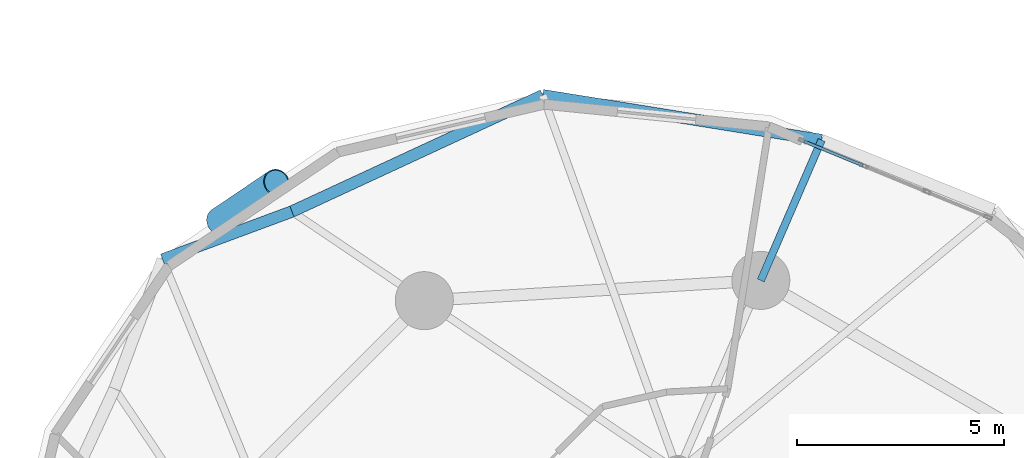
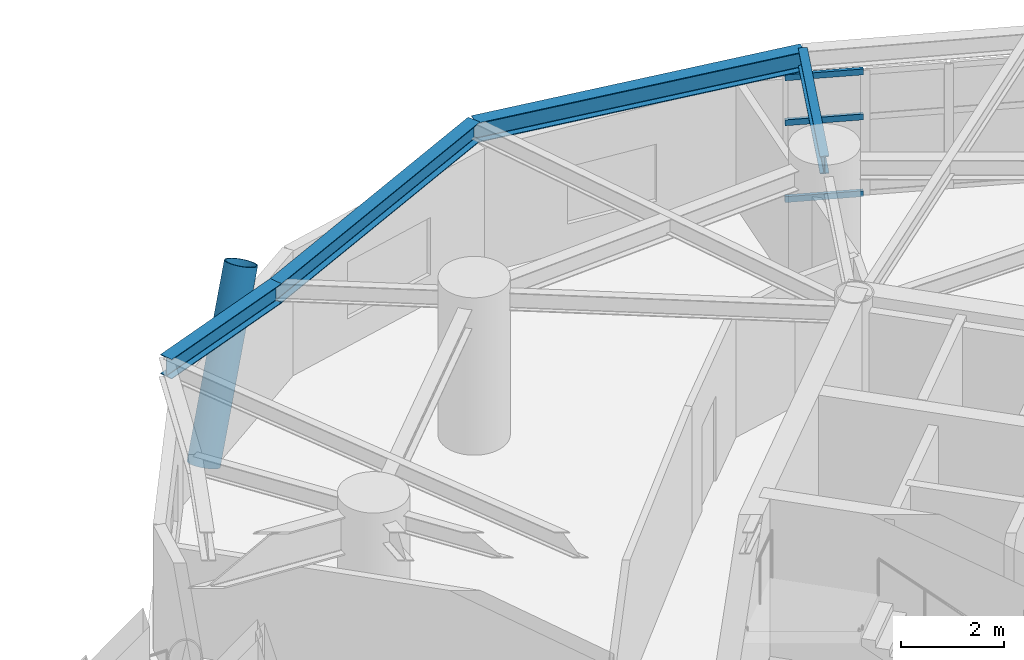
# One storey, part 9 of 19: 4 beams, 4 members, 1 element without a shape of its own.
"""IFC4 building model written with IfcOpenShell, lengths in metres."""

from ifc_helpers import new_model, si_unit, direction, frame, origin, origin_2d, place, context, subcontext, project, spatial, hollow_rectangle, hollow_circle, i_section, extrude, material, layer, layer_set, material_profile, profile_set, type_object, element, aggregate, save


model = new_model("IFC4")

# Units and contexts
model_context = context("Model", 3, precision=1e-05, world=origin(), true_north=direction((0.0, 1.0)))
body_context = subcontext(model_context, "Body", "Model", "MODEL_VIEW")
ifc_project = project(units=[si_unit("LENGTHUNIT", "METRE"), si_unit("AREAUNIT", "SQUARE_METRE"), si_unit("VOLUMEUNIT", "CUBIC_METRE"), si_unit("PLANEANGLEUNIT", "RADIAN"), si_unit("MASSUNIT", "GRAM", prefix="KILO")], contexts=[model_context])

# Site, building, storey
site_placement = place(None, origin())
site = spatial("IfcSite", under=ifc_project, at=site_placement, CompositionType="ELEMENT")
building_placement = place(site_placement, origin())
building = spatial("IfcBuilding", under=site, at=building_placement, Name="Cununo Teusaquillo Station Towers", CompositionType="ELEMENT")
storey_placement = place(building_placement, frame((0.0, 0.0, 132.8798828125)))
storey = spatial("IfcBuildingStorey", under=building, at=storey_placement, Name="L42", CompositionType="ELEMENT", Elevation=132.8798828125)

# Beams
ifc_material_1 = material(Name="Steel ASTM A572 Grade 50", Category="steel")
ifc_material_profile_1 = material_profile(ifc_material_1, i_section(OverallWidth=0.180908203125, OverallDepth=0.4169921875, WebThickness=0.010986328125, FlangeThickness=0.018310546875, FilletRadius=0.012939453125, at=origin_2d()), Name="W16X57")
ifc_profile_set_1 = profile_set([ifc_material_profile_1], Name="Steel ASTM A572 Grade 50")
beam_type_1 = type_object("IfcBeamType", Name="BM-RAD-G2", PredefinedType="BEAM", material=ifc_profile_set_1)
beam_1_placement = place(storey_placement, frame((58.291015625, 37.63525390625, 3.231689453125), z_axis=(0.397421761279, 0.917636062751, 0.0), x_axis=(-0.917636062751, 0.397421761279, 0.0)))
element("IfcBeam", 1, at=beam_1_placement, inside=storey, type_object=beam_type_1, Name="L42 Tower B Perimeter Overhang Girder 02B", PredefinedType="BEAM", context=body_context, shape_type="SweptSolid", body=[
    extrude(i_section(OverallWidth=0.180908203125, OverallDepth=0.4169921875, WebThickness=0.010986328125, FlangeThickness=0.018310546875, FilletRadius=0.012939453125, at=origin_2d()), origin(), (0.0, 0.0, 1.0), 3.690185546875),
])
ifc_material_2 = material(Name="Steel ASTM A572 Grade 50", Category="steel")
ifc_material_profile_2 = material_profile(ifc_material_2, i_section(OverallWidth=0.280029296875, OverallDepth=0.462890625, WebThickness=0.0107421875, FlangeThickness=0.017333984375, FilletRadius=0.013916015625, at=origin_2d()), Name="W18X76")
ifc_profile_set_2 = profile_set([ifc_material_profile_2], Name="Steel ASTM A572 Grade 50")
beam_type_2 = type_object("IfcBeamType", Name="BM-RING-Z2", PredefinedType="SPANDREL", material=ifc_profile_set_2)
beam_2_placement = place(storey_placement, frame((59.757568359375, 41.021484375, 3.20849609375), z_axis=(-0.987331474246, 0.158671232312, 0.0), x_axis=(-0.158671232312, -0.987331474246, 0.0)))
element("IfcBeam", 2, at=beam_2_placement, inside=storey, type_object=beam_type_2, Name="L42 Tower B Spandrel Ring Beam 03", PredefinedType="SPANDREL", context=body_context, shape_type="SweptSolid", body=[
    extrude(i_section(OverallWidth=0.280029296875, OverallDepth=0.462890625, WebThickness=0.0107421875, FlangeThickness=0.017333984375, FilletRadius=0.013916015625, at=origin_2d()), origin(), (0.0, 0.0, 1.0), 6.8115234375),
])
beam_3_placement = place(storey_placement, frame((53.0322265625, 42.102294921875, 3.20849609375), z_axis=(-0.907275870354, -0.420535961689, 0.0), x_axis=(0.420535961689, -0.907275870354, 0.0)))
element("IfcBeam", 3, at=beam_3_placement, inside=storey, type_object=beam_type_2, Name="L42 Tower B Spandrel Ring Beam 04", PredefinedType="SPANDREL", context=body_context, shape_type="SweptSolid", body=[
    extrude(i_section(OverallWidth=0.280029296875, OverallDepth=0.462890625, WebThickness=0.0107421875, FlangeThickness=0.017333984375, FilletRadius=0.013916015625, at=origin_2d()), origin(), (0.0, 0.0, 1.0), 6.671142578125),
])
beam_4_placement = place(storey_placement, frame((46.979736328125, 39.296875, 3.20849609375), z_axis=(-0.937628334414, -0.347639333943, 0.0), x_axis=(0.347639333943, -0.937628334414, 0.0)))
element("IfcBeam", 4, at=beam_4_placement, inside=storey, type_object=beam_type_2, Name="L42 Tower B Spandrel Ring Beam 05", PredefinedType="SPANDREL", context=body_context, shape_type="SweptSolid", body=[
    extrude(i_section(OverallWidth=0.280029296875, OverallDepth=0.462890625, WebThickness=0.0107421875, FlangeThickness=0.017333984375, FilletRadius=0.013916015625, at=origin_2d()), origin(), (0.0, 0.0, 1.0), 3.327392578125),
])

# Curtain wall, members
ifc_material_3 = material(Name="Ceramic-fritted dark low-E double glazing", Category="glass")
ifc_layer = layer(ifc_material_3, 0.179931640625)
ifc_layer_set = layer_set([ifc_layer], Name="Ceramic-fritted dark low-E double glazing")
curtain_wall_type = type_object("IfcCurtainWallType", Name="CW-SYS-04", PredefinedType="USERDEFINED", material=ifc_layer_set)
curtain_wall_placement = place(storey_placement, origin())
curtain_wall = element("IfcCurtainWall", 5, at=curtain_wall_placement, inside=storey, type_object=curtain_wall_type, Name="L42 Tower B Facade Curtain Wall C01", ObjectType="FRITTED GLAZING", PredefinedType="USERDEFINED")
ifc_material_4 = material(Name="Anodised dark bronze aluminium EN AW-6063-T6", Category="aluminium")
ifc_material_profile_3 = material_profile(ifc_material_4, hollow_rectangle(XDim=0.070068359375, YDim=0.139892578125, WallThickness=0.00390625, at=origin_2d()), Name="CW-TRAN-70x140")
ifc_profile_set_3 = profile_set([ifc_material_profile_3], Name="Anodised dark bronze aluminium EN AW-6063-T6")
member_type_1 = type_object("IfcMemberType", Name="CWT-140", PredefinedType="USERDEFINED", material=ifc_profile_set_3)
member_1_placement = place(storey_placement, frame((59.337890625, 40.98876953125, 0.03515625), z_axis=(0.924532726965, -0.381102659097, 0.0), x_axis=(0.381102659097, 0.924532726965, 0.0)))
member_1 = element("IfcMember", 6, at=member_1_placement, type_object=member_type_1, Name="CW-04 transom 1.1", ObjectType="TRANSOM", PredefinedType="USERDEFINED", context=body_context, shape_type="SweptSolid", body=[
    extrude(hollow_rectangle(XDim=0.070068359375, YDim=0.139892578125, WallThickness=0.00390625, at=origin_2d()), origin(), (0.0, 0.0, 1.0), 1.531005859375),
])
member_2_placement = place(storey_placement, frame((59.337890625, 40.98876953125, 1.85009765625), z_axis=(0.924532726965, -0.381102659097, 0.0), x_axis=(0.381102659097, 0.924532726965, 0.0)))
member_2 = element("IfcMember", 7, at=member_2_placement, type_object=member_type_1, Name="CW-04 transom 1.2", ObjectType="TRANSOM", PredefinedType="USERDEFINED", context=body_context, shape_type="SweptSolid", body=[
    extrude(hollow_rectangle(XDim=0.070068359375, YDim=0.139892578125, WallThickness=0.00390625, at=origin_2d()), origin(), (0.0, 0.0, 1.0), 1.531005859375),
])
member_3_placement = place(storey_placement, frame((59.337890625, 40.98876953125, 2.9140625), z_axis=(0.924532726965, -0.381102659097, 0.0), x_axis=(0.381102659097, 0.924532726965, 0.0)))
member_3 = element("IfcMember", 8, at=member_3_placement, type_object=member_type_1, Name="CW-04 transom 1.3", ObjectType="TRANSOM", PredefinedType="USERDEFINED", context=body_context, shape_type="SweptSolid", body=[
    extrude(hollow_rectangle(XDim=0.070068359375, YDim=0.139892578125, WallThickness=0.00390625, at=origin_2d()), origin(), (0.0, 0.0, 1.0), 1.531005859375),
])
aggregate(curtain_wall, [member_1, member_2, member_3])

# Member
ifc_material_5 = material(Name="Steel EN 10025-2 S355J2", Category="steel")
ifc_material_profile_4 = material_profile(ifc_material_5, hollow_circle(Radius=0.330078125, WallThickness=0.02490234375, at=origin_2d()), Name="CHS 660x25")
ifc_profile_set_4 = profile_set([ifc_material_profile_4], Name="Steel EN 10025-2 S355J2")
member_type_2 = type_object("IfcMemberType", Name="MBR-DIAG-Z2", PredefinedType="BRACE", material=ifc_profile_set_4)
member_4_placement = place(storey_placement, frame((45.2333984375, 39.068603515625, -0.139892578125), z_axis=(0.337206220245, 0.227921431, 0.913424209401), x_axis=(-0.559991322854, 0.828498472134, 0.0)))
element("IfcMember", 9, at=member_4_placement, inside=storey, type_object=member_type_2, Name="L42 Tower B Folded-Zigzag Diagrid Tube C04", PredefinedType="BRACE", context=body_context, shape_type="SweptSolid", body=[
    extrude(hollow_circle(Radius=0.330078125, WallThickness=0.02490234375, at=origin_2d()), origin(), (0.0, 0.0, 1.0), 4.072509765625),
])

save(model, "model.ifc")
